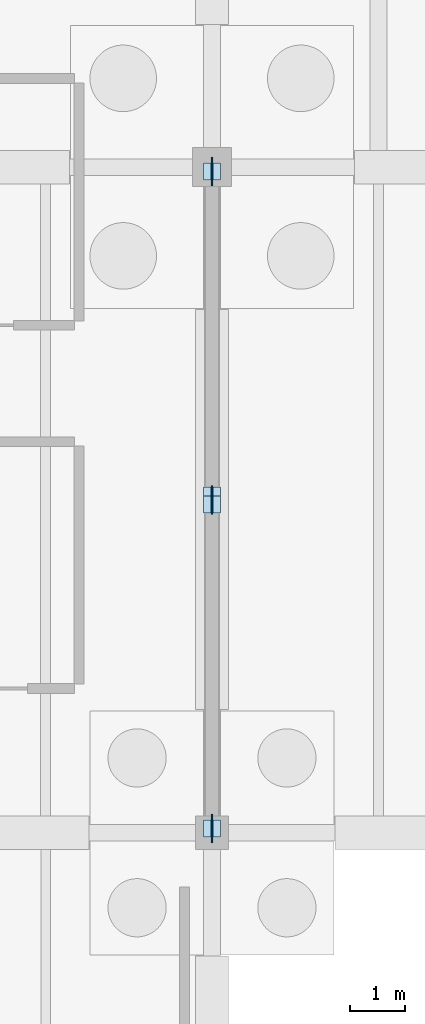
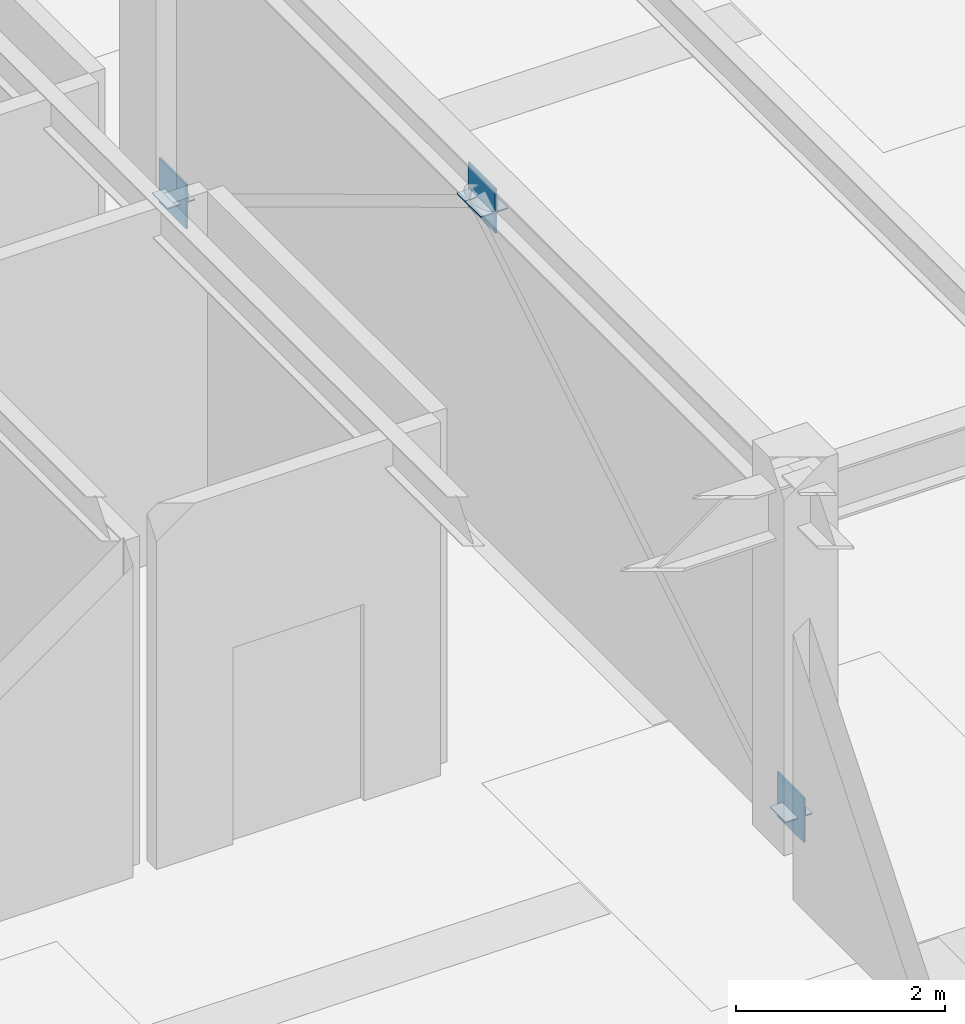
# One storey, part 26 of 40: 7 plates.
"""IFC4 building model written with IfcOpenShell, lengths in metres."""

from ifc_helpers import new_model, si_unit, direction, frame, origin, origin_2d, place, context, subcontext, project, spatial, rectangle, extrude, material, layer, layer_set, type_object, element, save


model = new_model("IFC4")

# Units and contexts
model_context = context("Model", 3, precision=1e-05, world=origin(), true_north=direction((0.0, 1.0)))
body_context = subcontext(model_context, "Body", "Model", "MODEL_VIEW")
ifc_project = project(units=[si_unit("LENGTHUNIT", "METRE"), si_unit("AREAUNIT", "SQUARE_METRE"), si_unit("VOLUMEUNIT", "CUBIC_METRE"), si_unit("PLANEANGLEUNIT", "RADIAN"), si_unit("MASSUNIT", "GRAM", prefix="KILO")], contexts=[model_context])

# Site, building, storey
site_placement = place(None, origin())
site = spatial("IfcSite", under=ifc_project, at=site_placement, CompositionType="ELEMENT")
building_placement = place(site_placement, origin())
building = spatial("IfcBuilding", under=site, at=building_placement, Name="Montelvaro Courts of Justice", CompositionType="ELEMENT")
storey_placement = place(building_placement, frame((0.0, 0.0, -4.5)))
storey = spatial("IfcBuildingStorey", under=building, at=storey_placement, Name="B01", CompositionType="ELEMENT", Elevation=-4.5)

# Plates
ifc_material = material(Name="Steel S355", Category="steel")
ifc_layer_1 = layer(ifc_material, 0.011962890625)
ifc_layer_set_1 = layer_set([ifc_layer_1], Name="Steel S355")
plate_type_1 = type_object("IfcPlateType", Name="EndCapPlate_12", PredefinedType="USERDEFINED", material=ifc_layer_set_1)
for number, where, z_axis, x_axis, name in (
    (1, (126.0, 66.080078125, 0.19384765625), (0.0, 0.0, 1.0), (1.0, 0.0, 0.0), "Brace End Cap Plate CP-01 CBF3-B01-1A"),
    (2, (126.0, 71.919921875, 3.73388671875), (0.0, 0.0, 1.0), (1.0, 0.0, 0.0), "Brace End Cap Plate CP-01 CBF3-B01-1B"),
    (3, (126.0, 77.919921875, 0.19384765625), (0.0, 0.0, 1.0), (1.0, 0.0, 0.0), "Brace End Cap Plate CP-01 CBF3-B01-2A"),
    (4, (126.0, 72.080078125, 3.73388671875), (0.0, 0.0, 1.0), (1.0, 0.0, 0.0), "Brace End Cap Plate CP-01 CBF3-B01-2B"),
):
    element("IfcPlate", number, at=place(storey_placement, frame(where, z_axis=z_axis, x_axis=x_axis)), inside=storey, type_object=plate_type_1, Name=name, ObjectType="GUSSET PLATE", PredefinedType="USERDEFINED", context=body_context, shape_type="SweptSolid", body=[
        extrude(rectangle(XDim=0.300048828125, YDim=0.300048828125, at=origin_2d()), origin(), (0.0, 0.0, 1.0), 0.011962890625),
    ])
ifc_layer_2 = layer(ifc_material, 0.02001953125)
ifc_layer_set_2 = layer_set([ifc_layer_2], Name="Steel S355")
plate_type_2 = type_object("IfcPlateType", Name="GussetPlate_20", PredefinedType="USERDEFINED", material=ifc_layer_set_2)
for number, where, z_axis, x_axis, name in (
    (5, (126.0, 66.080078125, -0.02001953125), (0.0, 0.0, 1.0), (1.0, 0.0, 0.0), "Chevron Brace Base Gusset Plate GP-01 CBF3-B01-B1"),
    (6, (126.0, 77.919921875, -0.02001953125), (0.0, 0.0, 1.0), (1.0, 0.0, 0.0), "Chevron Brace Base Gusset Plate GP-01 CBF3-B01-B2"),
    (7, (126.0, 72.0, 3.52001953125), (0.0, 0.0, 1.0), (1.0, 0.0, 0.0), "Chevron Brace Gusset Plate GP-01 CBF3-B01"),
):
    element("IfcPlate", number, at=place(storey_placement, frame(where, z_axis=z_axis, x_axis=x_axis)), inside=storey, type_object=plate_type_2, Name=name, ObjectType="GUSSET PLATE", PredefinedType="USERDEFINED", context=body_context, shape_type="SweptSolid", body=[
        extrude(rectangle(XDim=0.02001953125, YDim=0.52001953125, at=origin_2d()), origin(), (0.0, 0.0, 1.0), 0.52001953125),
    ])

save(model, "model.ifc")
